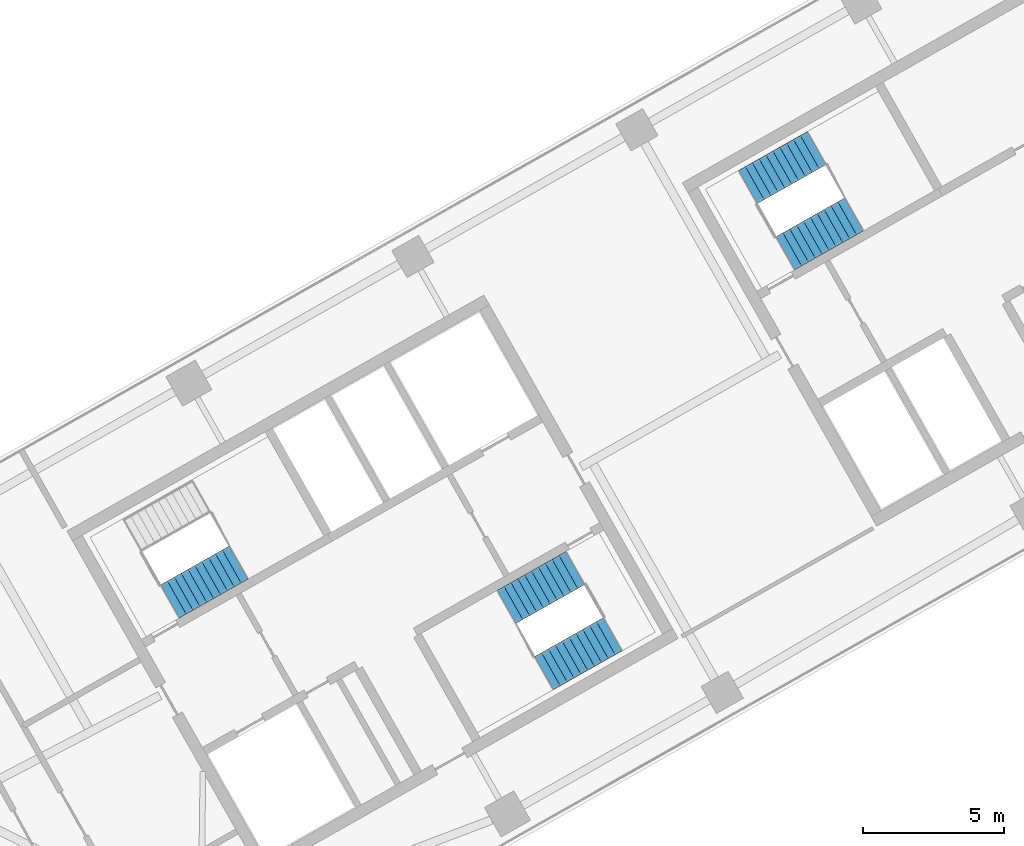
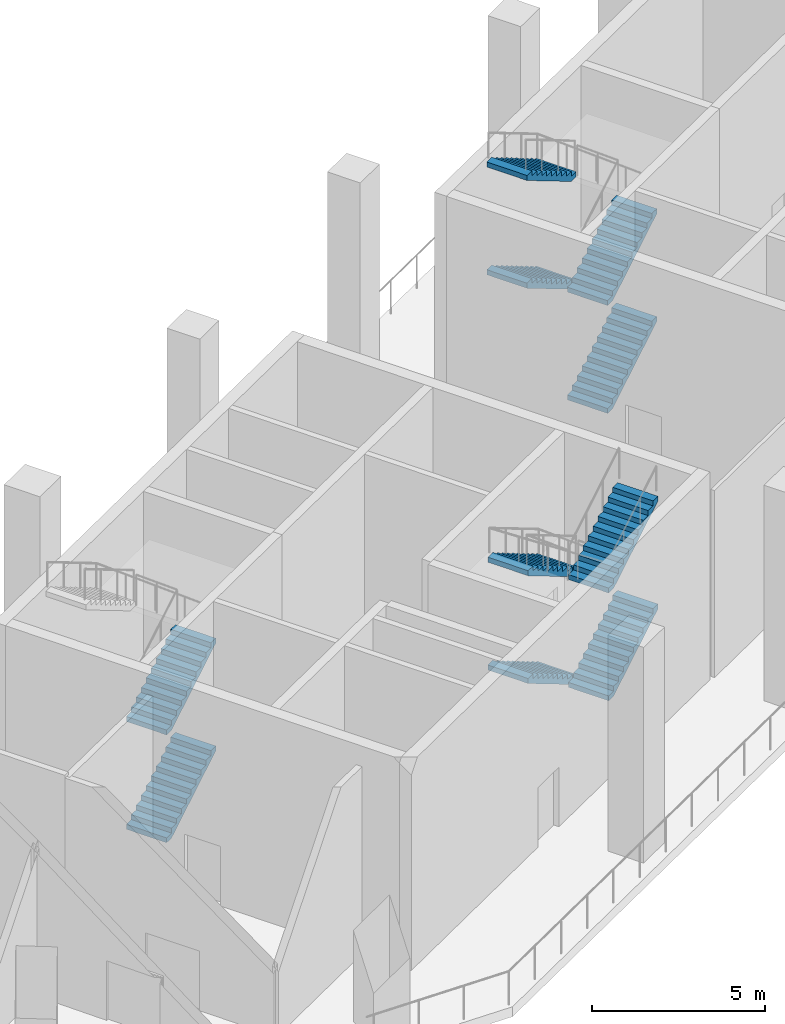
# One storey, part 4 of 6: 10 stair flights, 3 elements without a shape of their own.
"""IFC4 building model written with IfcOpenShell, lengths in metres."""

from ifc_helpers import new_model, si_unit, direction, frame, origin, place, context, subcontext, project, spatial, polyline, outline, extrude, material, type_object, element, aggregate, save


model = new_model("IFC4")

# Units and contexts
model_context = context("Model", 3, precision=1e-05, world=origin(), true_north=direction((0.0, 1.0)))
body_context = subcontext(model_context, "Body", "Model", "MODEL_VIEW")
ifc_project = project(units=[si_unit("LENGTHUNIT", "METRE"), si_unit("AREAUNIT", "SQUARE_METRE"), si_unit("VOLUMEUNIT", "CUBIC_METRE"), si_unit("PLANEANGLEUNIT", "RADIAN"), si_unit("MASSUNIT", "GRAM", prefix="KILO")], contexts=[model_context])

# Site, building, storey
site_placement = place(None, origin())
site = spatial("IfcSite", under=ifc_project, at=site_placement, CompositionType="ELEMENT")
building_placement = place(site_placement, origin())
building = spatial("IfcBuilding", under=site, at=building_placement, Name="Binnacle Exchange Tower", CompositionType="ELEMENT")
storey_placement = place(building_placement, frame((0.0, 0.0, 285.5)))
storey = spatial("IfcBuildingStorey", under=building, at=storey_placement, Name="L64", CompositionType="ELEMENT", Elevation=285.5)

# Stair, stair flights
ifc_material = material(Name="Concrete C35/45", Category="concrete")
stair_type = type_object("IfcStairType", Name="STAIR 44 RISERS 173", PredefinedType="HALF_TURN_STAIR", material=ifc_material)
stair_1_placement = place(storey_placement, origin())
stair_1 = element("IfcStair", 1, at=stair_1_placement, inside=storey, type_object=stair_type, Name="L64 Escape stair A1", PredefinedType="HALF_TURN_STAIR")
stair_flight_type = type_object("IfcStairFlightType", Name="STAIR FLIGHT 173X280", PredefinedType="STRAIGHT", material=ifc_material)
stair_flight_1_placement = place(storey_placement, frame((-42.9541015625, 39.17333984375, 0.0), z_axis=(0.0, 0.0, 1.0), x_axis=(0.870355584213, 0.492423757581, 0.0)))
stair_flight_1 = element("IfcStairFlight", 2, at=stair_flight_1_placement, type_object=stair_flight_type, Name="STA1 flight 1", NumberOfRisers=11, NumberOfTreads=10, PredefinedType="STRAIGHT", RiserHeight=0.172727273, TreadLength=0.28, context=body_context, shape_type="SweptSolid", body=[
    extrude(outline(polyline([(0.0, 0.0), (0.0, 0.172607421875), (0.280029296875, 0.172607421875), (0.280029296875, 0.345458984375), (0.56005859375, 0.345458984375), (0.56005859375, 0.51806640625), (0.840087890625, 0.51806640625), (0.840087890625, 0.69091796875), (1.1201171875, 0.69091796875), (1.1201171875, 0.863525390625), (1.39990234375, 0.863525390625), (1.39990234375, 1.036376953125), (1.679931640625, 1.036376953125), (1.679931640625, 1.208984375), (1.9599609375, 1.208984375), (1.9599609375, 1.3818359375), (2.239990234375, 1.3818359375), (2.239990234375, 1.554443359375), (2.52001953125, 1.554443359375), (2.52001953125, 1.727294921875), (2.800048828125, 1.727294921875), (2.800048828125, 1.89990234375), (2.800048828125, 1.551025390625), (0.285400390625, 0.0), (0.0, 0.0)])), frame((0.0, 0.675048828125, 0.0), z_axis=(0.0, -1.0, 0.0), x_axis=(1.0, 0.0, 0.0)), (0.0, 0.0, 1.0), 1.35009765625),
])
stair_flight_2_placement = place(storey_placement, frame((-42.9541015625, 39.17333984375, 3.800048828125), z_axis=(0.0, 0.0, 1.0), x_axis=(0.870355584213, 0.492423757581, 0.0)))
stair_flight_2 = element("IfcStairFlight", 3, at=stair_flight_2_placement, type_object=stair_flight_type, Name="STA1 flight 3", NumberOfRisers=11, NumberOfTreads=10, PredefinedType="STRAIGHT", RiserHeight=0.172727273, TreadLength=0.28, context=body_context, shape_type="SweptSolid", body=[
    extrude(outline(polyline([(0.0, 0.0), (0.0, 0.172607421875), (0.280029296875, 0.172607421875), (0.280029296875, 0.345458984375), (0.56005859375, 0.345458984375), (0.56005859375, 0.51806640625), (0.840087890625, 0.51806640625), (0.840087890625, 0.69091796875), (1.1201171875, 0.69091796875), (1.1201171875, 0.863525390625), (1.39990234375, 0.863525390625), (1.39990234375, 1.036376953125), (1.679931640625, 1.036376953125), (1.679931640625, 1.208984375), (1.9599609375, 1.208984375), (1.9599609375, 1.3818359375), (2.239990234375, 1.3818359375), (2.239990234375, 1.554443359375), (2.52001953125, 1.554443359375), (2.52001953125, 1.727294921875), (2.800048828125, 1.727294921875), (2.800048828125, 1.89990234375), (2.800048828125, 1.551025390625), (0.285400390625, 0.0), (0.0, 0.0)])), frame((0.0, 0.675048828125, 0.0), z_axis=(0.0, -1.0, 0.0), x_axis=(1.0, 0.0, 0.0)), (0.0, 0.0, 1.0), 1.35009765625),
])
aggregate(stair_1, [stair_flight_1, stair_flight_2])

stair_2_placement = place(storey_placement, origin())
stair_2 = element("IfcStair", 4, at=stair_2_placement, inside=storey, type_object=stair_type, Name="L64 Escape stair A2", PredefinedType="HALF_TURN_STAIR")
stair_flight_3_placement = place(storey_placement, frame((-28.5732421875, 40.3583984375, 0.0), z_axis=(0.0, 0.0, 1.0), x_axis=(-0.870355584213, -0.492423757581, 0.0)))
stair_flight_3 = element("IfcStairFlight", 5, at=stair_flight_3_placement, type_object=stair_flight_type, Name="STA2 flight 1", NumberOfRisers=11, NumberOfTreads=10, PredefinedType="STRAIGHT", RiserHeight=0.172727273, TreadLength=0.28, context=body_context, shape_type="SweptSolid", body=[
    extrude(outline(polyline([(0.0, 0.0), (0.0, 0.172607421875), (0.280029296875, 0.172607421875), (0.280029296875, 0.345458984375), (0.56005859375, 0.345458984375), (0.56005859375, 0.51806640625), (0.840087890625, 0.51806640625), (0.840087890625, 0.69091796875), (1.1201171875, 0.69091796875), (1.1201171875, 0.863525390625), (1.39990234375, 0.863525390625), (1.39990234375, 1.036376953125), (1.679931640625, 1.036376953125), (1.679931640625, 1.208984375), (1.9599609375, 1.208984375), (1.9599609375, 1.3818359375), (2.239990234375, 1.3818359375), (2.239990234375, 1.554443359375), (2.52001953125, 1.554443359375), (2.52001953125, 1.727294921875), (2.800048828125, 1.727294921875), (2.800048828125, 1.89990234375), (2.800048828125, 1.551025390625), (0.285400390625, 0.0), (0.0, 0.0)])), frame((0.0, 0.675048828125, 0.0), z_axis=(0.0, -1.0, 0.0), x_axis=(1.0, 0.0, 0.0)), (0.0, 0.0, 1.0), 1.35009765625),
])
stair_flight_4_placement = place(storey_placement, frame((-29.6806640625, 36.629638671875, 1.89990234375), z_axis=(0.0, 0.0, 1.0), x_axis=(0.870355584213, 0.492423757581, 0.0)))
stair_flight_4 = element("IfcStairFlight", 6, at=stair_flight_4_placement, type_object=stair_flight_type, Name="STA2 flight 2", NumberOfRisers=11, NumberOfTreads=10, PredefinedType="STRAIGHT", RiserHeight=0.172727273, TreadLength=0.28, context=body_context, shape_type="SweptSolid", body=[
    extrude(outline(polyline([(0.0, 0.0), (0.0, 0.172607421875), (0.280029296875, 0.172607421875), (0.280029296875, 0.345458984375), (0.56005859375, 0.345458984375), (0.56005859375, 0.51806640625), (0.840087890625, 0.51806640625), (0.840087890625, 0.69091796875), (1.1201171875, 0.69091796875), (1.1201171875, 0.863525390625), (1.39990234375, 0.863525390625), (1.39990234375, 1.036376953125), (1.679931640625, 1.036376953125), (1.679931640625, 1.208984375), (1.9599609375, 1.208984375), (1.9599609375, 1.3818359375), (2.239990234375, 1.3818359375), (2.239990234375, 1.554443359375), (2.52001953125, 1.554443359375), (2.52001953125, 1.727294921875), (2.800048828125, 1.727294921875), (2.800048828125, 1.89990234375), (2.800048828125, 1.551025390625), (0.285400390625, 0.0), (0.0, 0.0)])), frame((0.0, 0.675048828125, 0.0), z_axis=(0.0, -1.0, 0.0), x_axis=(1.0, 0.0, 0.0)), (0.0, 0.0, 1.0), 1.35009765625),
])
stair_flight_5_placement = place(storey_placement, frame((-28.5732421875, 40.3583984375, 3.800048828125), z_axis=(0.0, 0.0, 1.0), x_axis=(-0.870355584213, -0.492423757581, 0.0)))
stair_flight_5 = element("IfcStairFlight", 7, at=stair_flight_5_placement, type_object=stair_flight_type, Name="STA2 flight 3", NumberOfRisers=11, NumberOfTreads=10, PredefinedType="STRAIGHT", RiserHeight=0.172727273, TreadLength=0.28, context=body_context, shape_type="SweptSolid", body=[
    extrude(outline(polyline([(0.0, 0.0), (0.0, 0.172607421875), (0.280029296875, 0.172607421875), (0.280029296875, 0.345458984375), (0.56005859375, 0.345458984375), (0.56005859375, 0.51806640625), (0.840087890625, 0.51806640625), (0.840087890625, 0.69091796875), (1.1201171875, 0.69091796875), (1.1201171875, 0.863525390625), (1.39990234375, 0.863525390625), (1.39990234375, 1.036376953125), (1.679931640625, 1.036376953125), (1.679931640625, 1.208984375), (1.9599609375, 1.208984375), (1.9599609375, 1.3818359375), (2.239990234375, 1.3818359375), (2.239990234375, 1.554443359375), (2.52001953125, 1.554443359375), (2.52001953125, 1.727294921875), (2.800048828125, 1.727294921875), (2.800048828125, 1.89990234375), (2.800048828125, 1.551025390625), (0.285400390625, 0.0), (0.0, 0.0)])), frame((0.0, 0.675048828125, 0.0), z_axis=(0.0, -1.0, 0.0), x_axis=(1.0, 0.0, 0.0)), (0.0, 0.0, 1.0), 1.35009765625),
])
stair_flight_6_placement = place(storey_placement, frame((-29.6806640625, 36.629638671875, 5.699951171875), z_axis=(0.0, 0.0, 1.0), x_axis=(0.870355584213, 0.492423757581, 0.0)))
stair_flight_6 = element("IfcStairFlight", 8, at=stair_flight_6_placement, type_object=stair_flight_type, Name="STA2 flight 4", NumberOfRisers=11, NumberOfTreads=10, PredefinedType="STRAIGHT", RiserHeight=0.172727273, TreadLength=0.28, context=body_context, shape_type="SweptSolid", body=[
    extrude(outline(polyline([(0.0, 0.0), (0.0, 0.172607421875), (0.280029296875, 0.172607421875), (0.280029296875, 0.345458984375), (0.56005859375, 0.345458984375), (0.56005859375, 0.51806640625), (0.840087890625, 0.51806640625), (0.840087890625, 0.69091796875), (1.1201171875, 0.69091796875), (1.1201171875, 0.863525390625), (1.39990234375, 0.863525390625), (1.39990234375, 1.036376953125), (1.679931640625, 1.036376953125), (1.679931640625, 1.208984375), (1.9599609375, 1.208984375), (1.9599609375, 1.3818359375), (2.239990234375, 1.3818359375), (2.239990234375, 1.554443359375), (2.52001953125, 1.554443359375), (2.52001953125, 1.727294921875), (2.800048828125, 1.727294921875), (2.800048828125, 1.89990234375), (2.800048828125, 1.551025390625), (0.285400390625, 0.0), (0.0, 0.0)])), frame((0.0, 0.675048828125, 0.0), z_axis=(0.0, -1.0, 0.0), x_axis=(1.0, 0.0, 0.0)), (0.0, 0.0, 1.0), 1.35009765625),
])
aggregate(stair_2, [stair_flight_3, stair_flight_4, stair_flight_5, stair_flight_6])

stair_3_placement = place(storey_placement, origin())
stair_3 = element("IfcStair", 9, at=stair_3_placement, inside=storey, type_object=stair_type, Name="L64 Escape stair C1", PredefinedType="HALF_TURN_STAIR")
stair_flight_7_placement = place(storey_placement, frame((-21.115966796875, 51.528564453125, 0.0), z_axis=(0.0, 0.0, 1.0), x_axis=(0.870355584213, 0.492423757581, 0.0)))
stair_flight_7 = element("IfcStairFlight", 10, at=stair_flight_7_placement, type_object=stair_flight_type, Name="STC1 flight 1", NumberOfRisers=11, NumberOfTreads=10, PredefinedType="STRAIGHT", RiserHeight=0.172727273, TreadLength=0.28, context=body_context, shape_type="SweptSolid", body=[
    extrude(outline(polyline([(0.0, 0.0), (0.0, 0.172607421875), (0.280029296875, 0.172607421875), (0.280029296875, 0.345458984375), (0.56005859375, 0.345458984375), (0.56005859375, 0.51806640625), (0.840087890625, 0.51806640625), (0.840087890625, 0.69091796875), (1.1201171875, 0.69091796875), (1.1201171875, 0.863525390625), (1.39990234375, 0.863525390625), (1.39990234375, 1.036376953125), (1.679931640625, 1.036376953125), (1.679931640625, 1.208984375), (1.9599609375, 1.208984375), (1.9599609375, 1.3818359375), (2.239990234375, 1.3818359375), (2.239990234375, 1.554443359375), (2.52001953125, 1.554443359375), (2.52001953125, 1.727294921875), (2.800048828125, 1.727294921875), (2.800048828125, 1.89990234375), (2.800048828125, 1.551025390625), (0.285400390625, 0.0), (0.0, 0.0)])), frame((0.0, 0.675048828125, 0.0), z_axis=(0.0, -1.0, 0.0), x_axis=(1.0, 0.0, 0.0)), (0.0, 0.0, 1.0), 1.35009765625),
])
stair_flight_8_placement = place(storey_placement, frame((-20.008544921875, 55.25732421875, 1.89990234375), z_axis=(0.0, 0.0, 1.0), x_axis=(-0.870355584213, -0.492423757581, 0.0)))
stair_flight_8 = element("IfcStairFlight", 11, at=stair_flight_8_placement, type_object=stair_flight_type, Name="STC1 flight 2", NumberOfRisers=11, NumberOfTreads=10, PredefinedType="STRAIGHT", RiserHeight=0.172727273, TreadLength=0.28, context=body_context, shape_type="SweptSolid", body=[
    extrude(outline(polyline([(0.0, 0.0), (0.0, 0.172607421875), (0.280029296875, 0.172607421875), (0.280029296875, 0.345458984375), (0.56005859375, 0.345458984375), (0.56005859375, 0.51806640625), (0.840087890625, 0.51806640625), (0.840087890625, 0.69091796875), (1.1201171875, 0.69091796875), (1.1201171875, 0.863525390625), (1.39990234375, 0.863525390625), (1.39990234375, 1.036376953125), (1.679931640625, 1.036376953125), (1.679931640625, 1.208984375), (1.9599609375, 1.208984375), (1.9599609375, 1.3818359375), (2.239990234375, 1.3818359375), (2.239990234375, 1.554443359375), (2.52001953125, 1.554443359375), (2.52001953125, 1.727294921875), (2.800048828125, 1.727294921875), (2.800048828125, 1.89990234375), (2.800048828125, 1.551025390625), (0.285400390625, 0.0), (0.0, 0.0)])), frame((0.0, 0.675048828125, 0.0), z_axis=(0.0, -1.0, 0.0), x_axis=(1.0, 0.0, 0.0)), (0.0, 0.0, 1.0), 1.35009765625),
])
stair_flight_9_placement = place(storey_placement, frame((-21.115966796875, 51.528564453125, 3.800048828125), z_axis=(0.0, 0.0, 1.0), x_axis=(0.870355584213, 0.492423757581, 0.0)))
stair_flight_9 = element("IfcStairFlight", 12, at=stair_flight_9_placement, type_object=stair_flight_type, Name="STC1 flight 3", NumberOfRisers=11, NumberOfTreads=10, PredefinedType="STRAIGHT", RiserHeight=0.172727273, TreadLength=0.28, context=body_context, shape_type="SweptSolid", body=[
    extrude(outline(polyline([(0.0, 0.0), (0.0, 0.172607421875), (0.280029296875, 0.172607421875), (0.280029296875, 0.345458984375), (0.56005859375, 0.345458984375), (0.56005859375, 0.51806640625), (0.840087890625, 0.51806640625), (0.840087890625, 0.69091796875), (1.1201171875, 0.69091796875), (1.1201171875, 0.863525390625), (1.39990234375, 0.863525390625), (1.39990234375, 1.036376953125), (1.679931640625, 1.036376953125), (1.679931640625, 1.208984375), (1.9599609375, 1.208984375), (1.9599609375, 1.3818359375), (2.239990234375, 1.3818359375), (2.239990234375, 1.554443359375), (2.52001953125, 1.554443359375), (2.52001953125, 1.727294921875), (2.800048828125, 1.727294921875), (2.800048828125, 1.89990234375), (2.800048828125, 1.551025390625), (0.285400390625, 0.0), (0.0, 0.0)])), frame((0.0, 0.675048828125, 0.0), z_axis=(0.0, -1.0, 0.0), x_axis=(1.0, 0.0, 0.0)), (0.0, 0.0, 1.0), 1.35009765625),
])
stair_flight_10_placement = place(storey_placement, frame((-20.008544921875, 55.25732421875, 5.699951171875), z_axis=(0.0, 0.0, 1.0), x_axis=(-0.870355584213, -0.492423757581, 0.0)))
stair_flight_10 = element("IfcStairFlight", 13, at=stair_flight_10_placement, type_object=stair_flight_type, Name="STC1 flight 4", NumberOfRisers=11, NumberOfTreads=10, PredefinedType="STRAIGHT", RiserHeight=0.172727273, TreadLength=0.28, context=body_context, shape_type="SweptSolid", body=[
    extrude(outline(polyline([(0.0, 0.0), (0.0, 0.172607421875), (0.280029296875, 0.172607421875), (0.280029296875, 0.345458984375), (0.56005859375, 0.345458984375), (0.56005859375, 0.51806640625), (0.840087890625, 0.51806640625), (0.840087890625, 0.69091796875), (1.1201171875, 0.69091796875), (1.1201171875, 0.863525390625), (1.39990234375, 0.863525390625), (1.39990234375, 1.036376953125), (1.679931640625, 1.036376953125), (1.679931640625, 1.208984375), (1.9599609375, 1.208984375), (1.9599609375, 1.3818359375), (2.239990234375, 1.3818359375), (2.239990234375, 1.554443359375), (2.52001953125, 1.554443359375), (2.52001953125, 1.727294921875), (2.800048828125, 1.727294921875), (2.800048828125, 1.89990234375), (2.800048828125, 1.551025390625), (0.285400390625, 0.0), (0.0, 0.0)])), frame((0.0, 0.675048828125, 0.0), z_axis=(0.0, -1.0, 0.0), x_axis=(1.0, 0.0, 0.0)), (0.0, 0.0, 1.0), 1.35009765625),
])
aggregate(stair_3, [stair_flight_7, stair_flight_8, stair_flight_9, stair_flight_10])

save(model, "model.ifc")
